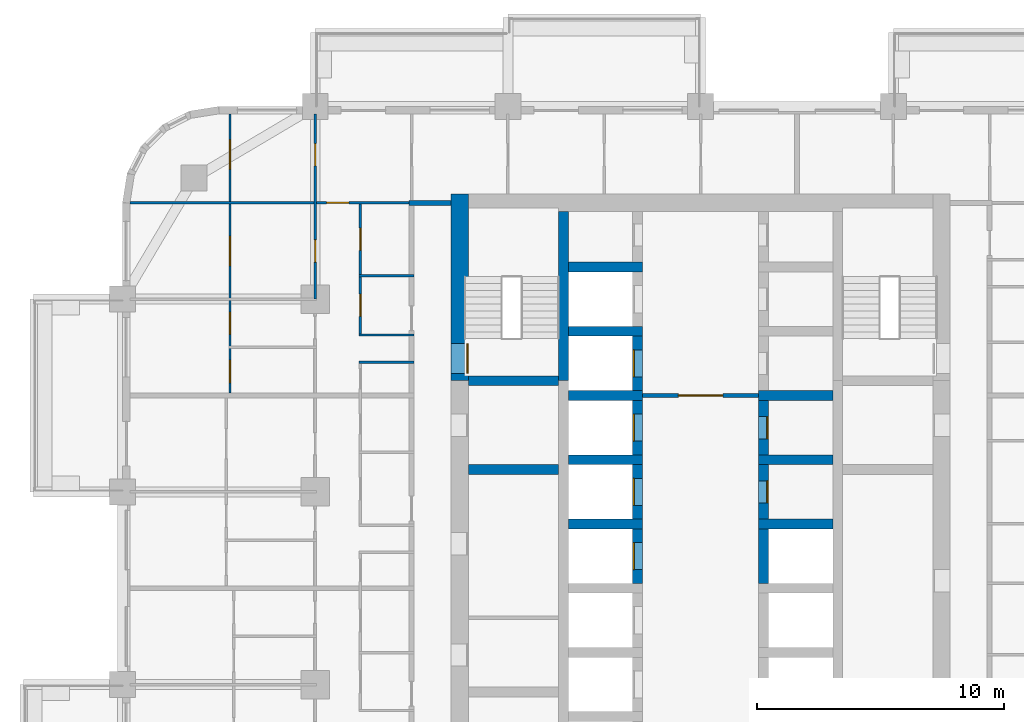
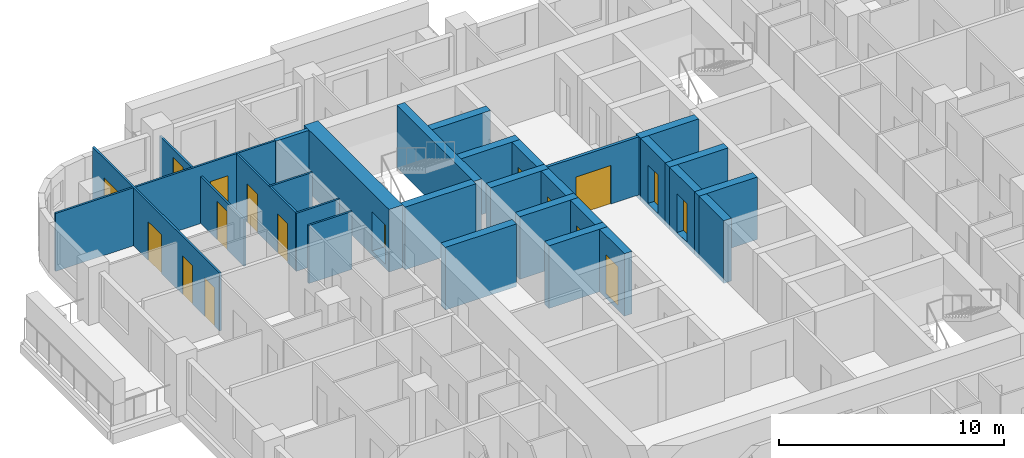
# One storey, part 10 of 17: 28 walls, 17 doors, 17 openings.
"""IFC4 building model written with IfcOpenShell, lengths in metres."""

from ifc_helpers import new_model, si_unit, direction, frame, frame_2d, origin, place, context, subcontext, project, spatial, rectangle, extrude, material, layer, layer_set, type_object, element, fill, save


model = new_model("IFC4")

# Units and contexts
model_context = context("Model", 3, precision=1e-05, world=origin(), true_north=direction((0.0, 1.0)))
body_context = subcontext(model_context, "Body", "Model", "MODEL_VIEW")
ifc_project = project(units=[si_unit("LENGTHUNIT", "METRE"), si_unit("AREAUNIT", "SQUARE_METRE"), si_unit("VOLUMEUNIT", "CUBIC_METRE"), si_unit("PLANEANGLEUNIT", "RADIAN"), si_unit("MASSUNIT", "GRAM", prefix="KILO")], contexts=[model_context])

# Site, building, storey
site_placement = place(None, origin())
site = spatial("IfcSite", under=ifc_project, at=site_placement, CompositionType="ELEMENT")
building_placement = place(site_placement, origin())
building = spatial("IfcBuilding", under=site, at=building_placement, Name="Ludao Terraces", CompositionType="ELEMENT")
storey_placement = place(building_placement, frame((0.0, 0.0, 22.89990234375)))
storey = spatial("IfcBuildingStorey", under=building, at=storey_placement, Name="L05", CompositionType="ELEMENT", Elevation=22.89990234375)

# Wall, opening, door
ifc_material_1 = material(Name="Concrete C70", Category="concrete")
ifc_layer_1 = layer(ifc_material_1, 0.699951171875)
ifc_layer_set_1 = layer_set([ifc_layer_1], Name="Core wall 700 C70")
wall_type_1 = type_object("IfcWallType", Name="Core wall 700 C70", PredefinedType="SOLIDWALL", material=ifc_layer_set_1)
wall_1_placement = place(storey_placement, frame((75.25, 77.300048828125, -0.25), z_axis=(0.0, 0.0, 1.0), x_axis=(0.0, 1.0, 0.0)))
wall_1 = element("IfcWall", 1, at=wall_1_placement, inside=storey, type_object=wall_type_1, Name="Core wall L05 outer-W-S1", PredefinedType="SOLIDWALL", context=body_context, shape_type="SweptSolid", body=[
    extrude(rectangle(XDim=7.550048828125, YDim=0.699951171875, at=frame_2d((3.77490234375, 0.0))), origin(), (0.0, 0.0, 1.0), 3.400146484375),
])
opening_1_placement = place(wall_1_placement, frame((0.300048828125, 0.0, 0.25)))
opening_1 = element("IfcOpeningElement", 2, at=opening_1_placement, cuts=wall_1, Name="Opening R01-127", PredefinedType="OPENING", context=body_context, shape_type="SweptSolid", body=[
    extrude(rectangle(XDim=1.199951171875, YDim=2.10009765625, at=frame_2d((0.60009765625, 1.050048828125))), frame((0.0, 0.35986328125, 0.0), z_axis=(0.0, -1.0, 0.0), x_axis=(1.0, 0.0, 0.0)), (0.0, 0.0, 1.0), 0.719970703125),
])
ifc_material_2 = material(Name="Steel Q235", Category="steel")
door_type_1 = type_object("IfcDoorType", Name="INT Stair door 1200", OperationType="DOUBLE_DOOR_SINGLE_SWING", PredefinedType="DOOR", material=ifc_material_2)
door_1_placement = place(opening_1_placement, origin())
door_1 = element("IfcDoor", 3, at=door_1_placement, inside=storey, type_object=door_type_1, Name="DOOR 127", OperationType="DOUBLE_DOOR_SINGLE_SWING", OverallHeight=2.10009765625, OverallWidth=1.199951171875, PredefinedType="DOOR", context=body_context, shape_type="SweptSolid", body=[
    extrude(rectangle(XDim=1.199951171875, YDim=2.10009765625, at=frame_2d((0.60009765625, 1.050048828125))), frame((0.0, -0.28515625, 0.0), z_axis=(0.0, -1.0, 0.0), x_axis=(1.0, 0.0, 0.0)), (0.0, 0.0, 1.0), 0.050048828125),
])
fill(opening_1, door_1)

ifc_material_3 = material(Name="Fire-rated gypsum plasterboard", Category="gypsum")
ifc_layer_2 = layer(ifc_material_3, 0.012451171875, Category="gypsum")
ifc_material_4 = material(Name="Mineral wool")
ifc_layer_3 = layer(ifc_material_4, 0.10009765625, Name="insulation")
ifc_layer_4 = layer(ifc_material_2, 0.02490234375, Name="stud")
ifc_layer_5 = layer(ifc_material_3, 0.012451171875, Category="gypsum")
ifc_layer_set_2 = layer_set([ifc_layer_2, ifc_layer_3, ifc_layer_4, ifc_layer_5], Name="INT Core partition 150")
wall_type_2 = type_object("IfcWallType", Name="INT Core partition 150", PredefinedType="PARTITIONING", material=ifc_layer_set_2)
wall_2_placement = place(storey_placement, frame((82.650146484375, 76.699951171875, 0.0), z_axis=(0.0, 0.0, 1.0), x_axis=(1.0, 0.0, 0.0)))
wall_2 = element("IfcWall", 4, at=wall_2_placement, inside=storey, type_object=wall_type_2, Name="PW-L05-PW058", PredefinedType="PARTITIONING", context=body_context, shape_type="SweptSolid", body=[
    extrude(rectangle(XDim=4.699951171875, YDim=0.14990234375, at=frame_2d((2.35009765625, 0.0))), origin(), (0.0, 0.0, 1.0), 3.150146484375),
])
opening_2_placement = place(wall_2_placement, frame((1.449951171875, 0.0, 0.0)))
opening_2 = element("IfcOpeningElement", 5, at=opening_2_placement, cuts=wall_2, Name="Opening R01-121", PredefinedType="OPENING", context=body_context, shape_type="SweptSolid", body=[
    extrude(rectangle(XDim=1.800048828125, YDim=2.10009765625, at=frame_2d((0.89990234375, 1.050048828125))), frame((0.0, 0.0849609375, 0.0), z_axis=(0.0, -1.0, 0.0), x_axis=(1.0, 0.0, 0.0)), (0.0, 0.0, 1.0), 0.169921875),
])
door_type_2 = type_object("IfcDoorType", Name="INT Fire lobby door 1800", OperationType="DOUBLE_DOOR_SINGLE_SWING", PredefinedType="DOOR", material=ifc_material_2)
door_2_placement = place(opening_2_placement, origin())
door_2 = element("IfcDoor", 6, at=door_2_placement, inside=storey, type_object=door_type_2, Name="DOOR 121", OperationType="DOUBLE_DOOR_SINGLE_SWING", OverallHeight=2.10009765625, OverallWidth=1.800048828125, PredefinedType="DOOR", context=body_context, shape_type="SweptSolid", body=[
    extrude(rectangle(XDim=1.800048828125, YDim=2.10009765625, at=frame_2d((0.89990234375, 1.050048828125))), frame((0.0, 0.02490234375, 0.0), z_axis=(0.0, -1.0, 0.0), x_axis=(1.0, 0.0, 0.0)), (0.0, 0.0, 1.0), 0.050048828125),
])
fill(opening_2, door_2)

# Walls
ifc_material_5 = material(Name="Autoclaved aerated concrete block B06 A3.5", Category="concrete")
ifc_layer_6 = layer(ifc_material_5, 0.199951171875)
ifc_layer_set_3 = layer_set([ifc_layer_6], Name="INT Entrance wall 200")
wall_type_3 = type_object("IfcWallType", Name="INT Entrance wall 200", PredefinedType="PARTITIONING", material=ifc_layer_set_3)
wall_3_placement = place(storey_placement, frame((73.2001953125, 84.5, 0.0), z_axis=(0.0, 0.0, 1.0), x_axis=(1.0, 0.0, 0.0)))
element("IfcWall", 7, at=wall_3_placement, inside=storey, type_object=wall_type_3, Name="PW-L05-PW070", PredefinedType="PARTITIONING", context=body_context, shape_type="SweptSolid", body=[
    extrude(rectangle(XDim=1.699951171875, YDim=0.199951171875, at=frame_2d((0.85009765625, 0.0))), origin(), (0.0, 0.0, 1.0), 3.150146484375),
])
ifc_material_6 = material(Name="Gypsum plasterboard", Category="gypsum")
ifc_layer_7 = layer(ifc_material_6, 0.012451171875, Category="gypsum")
ifc_layer_8 = layer(ifc_material_4, 0.06005859375, Name="insulation")
ifc_layer_9 = layer(ifc_material_2, 0.014892578125, Name="stud")
ifc_layer_10 = layer(ifc_material_6, 0.012451171875, Category="gypsum")
ifc_layer_set_4 = layer_set([ifc_layer_7, ifc_layer_8, ifc_layer_9, ifc_layer_10], Name="INT Partition 100")
wall_type_4 = type_object("IfcWallType", Name="INT Partition 100", PredefinedType="PARTITIONING", material=ifc_layer_set_4)
for number, where, z_axis, x_axis, name in (
    (8, (71.18017578125, 78.050048828125, 0.0), (0.0, 0.0, 1.0), (1.0, 0.0, 0.0), "PW-L05-PW060"),
    (9, (71.18017578125, 79.14990234375, 0.0), (0.0, 0.0, 1.0), (1.0, 0.0, 0.0), "PW-L05-PW063"),
    (10, (71.18017578125, 81.550048828125, 0.0), (0.0, 0.0, 1.0), (1.0, 0.0, 0.0), "PW-L05-PW067"),
):
    element("IfcWall", number, at=place(storey_placement, frame(where, z_axis=z_axis, x_axis=x_axis)), inside=storey, type_object=wall_type_4, Name=name, PredefinedType="PARTITIONING", context=body_context, shape_type="SweptSolid", body=[
        extrude(rectangle(XDim=2.219970703125, YDim=0.10009765625, at=frame_2d((1.10986328125, 0.0))), origin(), (0.0, 0.0, 1.0), 3.150146484375),
    ])

# Wall, opening, door
wall_4_placement = place(storey_placement, frame((61.900146484375, 84.5, 0.0), z_axis=(0.0, 0.0, 1.0), x_axis=(1.0, 0.0, 0.0)))
wall_4 = element("IfcWall", 11, at=wall_4_placement, inside=storey, type_object=wall_type_4, Name="PW-L05-PW069", PredefinedType="PARTITIONING", context=body_context, shape_type="SweptSolid", body=[
    extrude(rectangle(XDim=11.5, YDim=0.10009765625, at=frame_2d((5.75, 0.0))), origin(), (0.0, 0.0, 1.0), 3.150146484375),
])
opening_3_placement = place(wall_4_placement, frame((7.965087890625, 0.0, 0.0)))
opening_3 = element("IfcOpeningElement", 12, at=opening_3_placement, cuts=wall_4, Name="Opening R01-147", PredefinedType="OPENING", context=body_context, shape_type="SweptSolid", body=[
    extrude(rectangle(XDim=0.89990234375, YDim=2.10009765625, at=frame_2d((0.449951171875, 1.050048828125))), frame((0.0, 0.06005859375, 0.0), z_axis=(0.0, -1.0, 0.0), x_axis=(1.0, 0.0, 0.0)), (0.0, 0.0, 1.0), 0.1201171875),
])
ifc_material_7 = material(Name="Timber door leaf", Category="wood")
door_type_3 = type_object("IfcDoorType", Name="INT Room door 900", OperationType="SINGLE_SWING_LEFT", PredefinedType="DOOR", material=ifc_material_7)
door_3_placement = place(opening_3_placement, origin())
door_3 = element("IfcDoor", 13, at=door_3_placement, inside=storey, type_object=door_type_3, Name="DOOR 147", OperationType="SINGLE_SWING_RIGHT", OverallHeight=2.10009765625, OverallWidth=0.89990234375, PredefinedType="DOOR", context=body_context, shape_type="SweptSolid", body=[
    extrude(rectangle(XDim=0.89990234375, YDim=2.10009765625, at=frame_2d((0.449951171875, 1.050048828125))), frame((0.0, 0.02490234375, 0.0), z_axis=(0.0, -1.0, 0.0), x_axis=(1.0, 0.0, 0.0)), (0.0, 0.0, 1.0), 0.050048828125),
])
fill(opening_3, door_3)

# Wall, openings, doors
wall_5_placement = place(storey_placement, frame((65.949951171875, 76.800048828125, 0.0), z_axis=(0.0, 0.0, 1.0), x_axis=(0.0, 1.0, 0.0)))
wall_5 = element("IfcWall", 14, at=wall_5_placement, inside=storey, type_object=wall_type_4, Name="PW-L05-PW075", PredefinedType="PARTITIONING", context=body_context, shape_type="SweptSolid", body=[
    extrude(rectangle(XDim=11.300048828125, YDim=0.10009765625, at=frame_2d((5.64990234375, 0.0))), origin(), (0.0, 0.0, 1.0), 3.150146484375),
])
opening_4_placement = place(wall_5_placement, frame((0.425048828125, 0.0, 0.0)))
opening_4 = element("IfcOpeningElement", 15, at=opening_4_placement, cuts=wall_5, Name="Opening R01-123", PredefinedType="OPENING", context=body_context, shape_type="SweptSolid", body=[
    extrude(rectangle(XDim=0.89990234375, YDim=2.10009765625, at=frame_2d((0.449951171875, 1.050048828125))), frame((0.0, 0.06005859375, 0.0), z_axis=(0.0, -1.0, 0.0), x_axis=(1.0, 0.0, 0.0)), (0.0, 0.0, 1.0), 0.1201171875),
])
opening_5_placement = place(wall_5_placement, frame((2.375, 0.0, 0.0)))
opening_5 = element("IfcOpeningElement", 16, at=opening_5_placement, cuts=wall_5, Name="Opening R01-132", PredefinedType="OPENING", context=body_context, shape_type="SweptSolid", body=[
    extrude(rectangle(XDim=0.89990234375, YDim=2.10009765625, at=frame_2d((0.449951171875, 1.050048828125))), frame((0.0, 0.06005859375, 0.0), z_axis=(0.0, -1.0, 0.0), x_axis=(1.0, 0.0, 0.0)), (0.0, 0.0, 1.0), 0.1201171875),
])
opening_6_placement = place(wall_5_placement, frame((5.14990234375, 0.0, 0.0)))
opening_6 = element("IfcOpeningElement", 17, at=opening_6_placement, cuts=wall_5, Name="Opening R01-138", PredefinedType="OPENING", context=body_context, shape_type="SweptSolid", body=[
    extrude(rectangle(XDim=1.199951171875, YDim=2.10009765625, at=frame_2d((0.60009765625, 1.050048828125))), frame((0.0, 0.06005859375, 0.0), z_axis=(0.0, -1.0, 0.0), x_axis=(1.0, 0.0, 0.0)), (0.0, 0.0, 1.0), 0.1201171875),
])
opening_7_placement = place(wall_5_placement, frame((9.050048828125, 0.0, 0.0)))
opening_7 = element("IfcOpeningElement", 18, at=opening_7_placement, cuts=wall_5, Name="Opening R01-149", PredefinedType="OPENING", context=body_context, shape_type="SweptSolid", body=[
    extrude(rectangle(XDim=1.199951171875, YDim=2.10009765625, at=frame_2d((0.60009765625, 1.050048828125))), frame((0.0, 0.06005859375, 0.0), z_axis=(0.0, -1.0, 0.0), x_axis=(1.0, 0.0, 0.0)), (0.0, 0.0, 1.0), 0.1201171875),
])
door_type_4 = type_object("IfcDoorType", Name="INT Bathroom door 900", OperationType="SINGLE_SWING_LEFT", PredefinedType="DOOR", material=ifc_material_7)
door_4_placement = place(opening_4_placement, origin())
door_4 = element("IfcDoor", 19, at=door_4_placement, inside=storey, type_object=door_type_4, Name="DOOR 123", OperationType="SINGLE_SWING_RIGHT", OverallHeight=2.10009765625, OverallWidth=0.89990234375, PredefinedType="DOOR", context=body_context, shape_type="SweptSolid", body=[
    extrude(rectangle(XDim=0.89990234375, YDim=2.10009765625, at=frame_2d((0.449951171875, 1.050048828125))), frame((0.0, 0.02490234375, 0.0), z_axis=(0.0, -1.0, 0.0), x_axis=(1.0, 0.0, 0.0)), (0.0, 0.0, 1.0), 0.050048828125),
])
fill(opening_4, door_4)
door_type_5 = type_object("IfcDoorType", Name="INT Double door 1200", OperationType="DOUBLE_DOOR_SINGLE_SWING", PredefinedType="DOOR", material=ifc_material_7)
door_5_placement = place(opening_6_placement, origin())
door_5 = element("IfcDoor", 20, at=door_5_placement, inside=storey, type_object=door_type_5, Name="DOOR 138", OperationType="DOUBLE_DOOR_SINGLE_SWING", OverallHeight=2.10009765625, OverallWidth=1.199951171875, PredefinedType="DOOR", context=body_context, shape_type="SweptSolid", body=[
    extrude(rectangle(XDim=1.199951171875, YDim=2.10009765625, at=frame_2d((0.60009765625, 1.050048828125))), frame((0.0, 0.02490234375, 0.0), z_axis=(0.0, -1.0, 0.0), x_axis=(1.0, 0.0, 0.0)), (0.0, 0.0, 1.0), 0.050048828125),
])
fill(opening_6, door_5)
door_6_placement = place(opening_7_placement, origin())
door_6 = element("IfcDoor", 21, at=door_6_placement, inside=storey, type_object=door_type_5, Name="DOOR 149", OperationType="DOUBLE_DOOR_SINGLE_SWING", OverallHeight=2.10009765625, OverallWidth=1.199951171875, PredefinedType="DOOR", context=body_context, shape_type="SweptSolid", body=[
    extrude(rectangle(XDim=1.199951171875, YDim=2.10009765625, at=frame_2d((0.60009765625, 1.050048828125))), frame((0.0, 0.02490234375, 0.0), z_axis=(0.0, -1.0, 0.0), x_axis=(1.0, 0.0, 0.0)), (0.0, 0.0, 1.0), 0.050048828125),
])
fill(opening_7, door_6)
door_7_placement = place(opening_5_placement, origin())
door_7 = element("IfcDoor", 22, at=door_7_placement, inside=storey, type_object=door_type_3, Name="DOOR 132", OperationType="SINGLE_SWING_RIGHT", OverallHeight=2.10009765625, OverallWidth=0.89990234375, PredefinedType="DOOR", context=body_context, shape_type="SweptSolid", body=[
    extrude(rectangle(XDim=0.89990234375, YDim=2.10009765625, at=frame_2d((0.449951171875, 1.050048828125))), frame((0.0, 0.02490234375, 0.0), z_axis=(0.0, -1.0, 0.0), x_axis=(1.0, 0.0, 0.0)), (0.0, 0.0, 1.0), 0.050048828125),
])
fill(opening_5, door_7)

wall_6_placement = place(storey_placement, frame((69.39990234375, 80.60009765625, 0.0), z_axis=(0.0, 0.0, 1.0), x_axis=(0.0, 1.0, 0.0)))
wall_6 = element("IfcWall", 23, at=wall_6_placement, inside=storey, type_object=wall_type_4, Name="PW-L05-PW077-3", PredefinedType="PARTITIONING", context=body_context, shape_type="SweptSolid", body=[
    extrude(rectangle(XDim=7.5, YDim=0.10009765625, at=frame_2d((3.75, 0.0))), origin(), (0.0, 0.0, 1.0), 2.550048828125),
])
opening_8_placement = place(wall_6_placement, frame((1.5, 0.0, 0.0)))
opening_8 = element("IfcOpeningElement", 24, at=opening_8_placement, cuts=wall_6, Name="Opening R01-139", PredefinedType="OPENING", context=body_context, shape_type="SweptSolid", body=[
    extrude(rectangle(XDim=0.89990234375, YDim=2.10009765625, at=frame_2d((0.449951171875, 1.050048828125))), frame((0.0, 0.06005859375, 0.0), z_axis=(0.0, -1.0, 0.0), x_axis=(1.0, 0.0, 0.0)), (0.0, 0.0, 1.0), 0.1201171875),
])
opening_9_placement = place(wall_6_placement, frame((5.39990234375, 0.0, 0.0)))
opening_9 = element("IfcOpeningElement", 25, at=opening_9_placement, cuts=wall_6, Name="Opening R01-150", PredefinedType="OPENING", context=body_context, shape_type="SweptSolid", body=[
    extrude(rectangle(XDim=0.89990234375, YDim=2.10009765625, at=frame_2d((0.449951171875, 1.050048828125))), frame((0.0, 0.06005859375, 0.0), z_axis=(0.0, -1.0, 0.0), x_axis=(1.0, 0.0, 0.0)), (0.0, 0.0, 1.0), 0.1201171875),
])
door_8_placement = place(opening_8_placement, origin())
door_8 = element("IfcDoor", 26, at=door_8_placement, inside=storey, type_object=door_type_3, Name="DOOR 139", OperationType="SINGLE_SWING_LEFT", OverallHeight=2.10009765625, OverallWidth=0.89990234375, PredefinedType="DOOR", context=body_context, shape_type="SweptSolid", body=[
    extrude(rectangle(XDim=0.89990234375, YDim=2.10009765625, at=frame_2d((0.449951171875, 1.050048828125))), frame((0.0, 0.02490234375, 0.0), z_axis=(0.0, -1.0, 0.0), x_axis=(1.0, 0.0, 0.0)), (0.0, 0.0, 1.0), 0.050048828125),
])
fill(opening_8, door_8)
door_9_placement = place(opening_9_placement, origin())
door_9 = element("IfcDoor", 27, at=door_9_placement, inside=storey, type_object=door_type_3, Name="DOOR 150", OperationType="SINGLE_SWING_RIGHT", OverallHeight=2.10009765625, OverallWidth=0.89990234375, PredefinedType="DOOR", context=body_context, shape_type="SweptSolid", body=[
    extrude(rectangle(XDim=0.89990234375, YDim=2.10009765625, at=frame_2d((0.449951171875, 1.050048828125))), frame((0.0, 0.02490234375, 0.0), z_axis=(0.0, -1.0, 0.0), x_axis=(1.0, 0.0, 0.0)), (0.0, 0.0, 1.0), 0.050048828125),
])
fill(opening_9, door_9)

wall_7_placement = place(storey_placement, frame((71.22998046875, 79.2001953125, 0.0), z_axis=(0.0, 0.0, 1.0), x_axis=(0.0, 1.0, 0.0)))
wall_7 = element("IfcWall", 28, at=wall_7_placement, inside=storey, type_object=wall_type_4, Name="PW-L05-PW082", PredefinedType="PARTITIONING", context=body_context, shape_type="SweptSolid", body=[
    extrude(rectangle(XDim=5.25, YDim=0.10009765625, at=frame_2d((2.625, 0.0))), origin(), (0.0, 0.0, 1.0), 3.150146484375),
])
opening_10_placement = place(wall_7_placement, frame((0.699951171875, 0.0, 0.0)))
opening_10 = element("IfcOpeningElement", 29, at=opening_10_placement, cuts=wall_7, Name="Opening R01-135", PredefinedType="OPENING", context=body_context, shape_type="SweptSolid", body=[
    extrude(rectangle(XDim=0.89990234375, YDim=2.10009765625, at=frame_2d((0.449951171875, 1.050048828125))), frame((0.0, 0.06005859375, 0.0), z_axis=(0.0, -1.0, 0.0), x_axis=(1.0, 0.0, 0.0)), (0.0, 0.0, 1.0), 0.1201171875),
])
opening_11_placement = place(wall_7_placement, frame((3.375, 0.0, 0.0)))
opening_11 = element("IfcOpeningElement", 30, at=opening_11_placement, cuts=wall_7, Name="Opening R01-143", PredefinedType="OPENING", context=body_context, shape_type="SweptSolid", body=[
    extrude(rectangle(XDim=0.89990234375, YDim=2.10009765625, at=frame_2d((0.449951171875, 1.050048828125))), frame((0.0, 0.06005859375, 0.0), z_axis=(0.0, -1.0, 0.0), x_axis=(1.0, 0.0, 0.0)), (0.0, 0.0, 1.0), 0.1201171875),
])
door_10_placement = place(opening_10_placement, origin())
door_10 = element("IfcDoor", 31, at=door_10_placement, inside=storey, type_object=door_type_4, Name="DOOR 135", OperationType="SINGLE_SWING_RIGHT", OverallHeight=2.10009765625, OverallWidth=0.89990234375, PredefinedType="DOOR", context=body_context, shape_type="SweptSolid", body=[
    extrude(rectangle(XDim=0.89990234375, YDim=2.10009765625, at=frame_2d((0.449951171875, 1.050048828125))), frame((0.0, 0.02490234375, 0.0), z_axis=(0.0, -1.0, 0.0), x_axis=(1.0, 0.0, 0.0)), (0.0, 0.0, 1.0), 0.050048828125),
])
fill(opening_10, door_10)
door_11_placement = place(opening_11_placement, origin())
door_11 = element("IfcDoor", 32, at=door_11_placement, inside=storey, type_object=door_type_3, Name="DOOR 143", OperationType="SINGLE_SWING_RIGHT", OverallHeight=2.10009765625, OverallWidth=0.89990234375, PredefinedType="DOOR", context=body_context, shape_type="SweptSolid", body=[
    extrude(rectangle(XDim=0.89990234375, YDim=2.10009765625, at=frame_2d((0.449951171875, 1.050048828125))), frame((0.0, 0.02490234375, 0.0), z_axis=(0.0, -1.0, 0.0), x_axis=(1.0, 0.0, 0.0)), (0.0, 0.0, 1.0), 0.050048828125),
])
fill(opening_11, door_11)

# Wall
ifc_material_8 = material(Name="Concrete C60", Category="concrete")
ifc_layer_11 = layer(ifc_material_8, 0.39990234375)
ifc_layer_set_5 = layer_set([ifc_layer_11], Name="Shaft wall 400 C60")
wall_type_5 = type_object("IfcWallType", Name="Shaft wall 400 C60", PredefinedType="SOLIDWALL", material=ifc_layer_set_5)
wall_8_placement = place(storey_placement, frame((79.449951171875, 77.300048828125, -0.25), z_axis=(0.0, 0.0, 1.0), x_axis=(0.0, 1.0, 0.0)))
element("IfcWall", 33, at=wall_8_placement, inside=storey, type_object=wall_type_5, Name="Core wall L05 back-W-S1", PredefinedType="SOLIDWALL", context=body_context, shape_type="SweptSolid", body=[
    extrude(rectangle(XDim=6.849853515625, YDim=0.39990234375, at=frame_2d((3.4248046875, 0.0))), origin(), (0.0, 0.0, 1.0), 3.400146484375),
])

# Wall, opening, door
wall_9_placement = place(storey_placement, frame((82.449951171875, 69.10009765625, -0.25), z_axis=(0.0, 0.0, 1.0), x_axis=(0.0, 1.0, 0.0)))
wall_9 = element("IfcWall", 34, at=wall_9_placement, inside=storey, type_object=wall_type_5, Name="Core wall L05 front-W4", PredefinedType="SOLIDWALL", context=body_context, shape_type="SweptSolid", body=[
    extrude(rectangle(XDim=2.199951171875, YDim=0.39990234375, at=frame_2d((1.10009765625, 0.0))), origin(), (0.0, 0.0, 1.0), 3.400146484375),
])
opening_12_placement = place(wall_9_placement, frame((0.550048828125, 0.0, 0.25)))
opening_12 = element("IfcOpeningElement", 35, at=opening_12_placement, cuts=wall_9, Name="Opening LD-LA4", PredefinedType="OPENING", context=body_context, shape_type="SweptSolid", body=[
    extrude(rectangle(XDim=1.10009765625, YDim=2.10009765625, at=frame_2d((0.550048828125, 1.050048828125))), frame((0.0, 0.2099609375, 0.0), z_axis=(0.0, -1.0, 0.0), x_axis=(1.0, 0.0, 0.0)), (0.0, 0.0, 1.0), 0.419921875),
])
ifc_material_9 = material(Name="Stainless steel 304", Category="steel")
door_type_6 = type_object("IfcDoorType", Name="INT Lift landing door 1100", OperationType="SLIDING_TO_LEFT", PredefinedType="DOOR", material=ifc_material_9)
door_12_placement = place(opening_12_placement, origin())
door_12 = element("IfcDoor", 36, at=door_12_placement, inside=storey, type_object=door_type_6, Name="LANDING DOOR LA4 L05", OperationType="SLIDING_TO_LEFT", OverallHeight=2.10009765625, OverallWidth=1.10009765625, PredefinedType="DOOR", context=body_context, shape_type="SweptSolid", body=[
    extrude(rectangle(XDim=1.10009765625, YDim=2.10009765625, at=frame_2d((0.550048828125, 1.050048828125))), frame((0.0, 0.18505859375, 0.0), z_axis=(0.0, -1.0, 0.0), x_axis=(1.0, 0.0, 0.0)), (0.0, 0.0, 1.0), 0.050048828125),
])
fill(opening_12, door_12)

# Wall
wall_10_placement = place(storey_placement, frame((79.64990234375, 71.5, -0.25), z_axis=(0.0, 0.0, 1.0), x_axis=(1.0, 0.0, 0.0)))
element("IfcWall", 37, at=wall_10_placement, inside=storey, type_object=wall_type_5, Name="Core wall L05 div-W5", PredefinedType="SOLIDWALL", context=body_context, shape_type="SweptSolid", body=[
    extrude(rectangle(XDim=3.0, YDim=0.39990234375, at=frame_2d((1.5, 0.0))), origin(), (0.0, 0.0, 1.0), 3.400146484375),
])

# Wall, opening, door
wall_11_placement = place(storey_placement, frame((82.449951171875, 71.699951171875, -0.25), z_axis=(0.0, 0.0, 1.0), x_axis=(0.0, 1.0, 0.0)))
wall_11 = element("IfcWall", 38, at=wall_11_placement, inside=storey, type_object=wall_type_5, Name="Core wall L05 front-W5", PredefinedType="SOLIDWALL", context=body_context, shape_type="SweptSolid", body=[
    extrude(rectangle(XDim=2.199951171875, YDim=0.39990234375, at=frame_2d((1.10009765625, 0.0))), origin(), (0.0, 0.0, 1.0), 3.400146484375),
])
opening_13_placement = place(wall_11_placement, frame((0.550048828125, 0.0, 0.25)))
opening_13 = element("IfcOpeningElement", 39, at=opening_13_placement, cuts=wall_11, Name="Opening LD-LA5", PredefinedType="OPENING", context=body_context, shape_type="SweptSolid", body=[
    extrude(rectangle(XDim=1.10009765625, YDim=2.10009765625, at=frame_2d((0.550048828125, 1.050048828125))), frame((0.0, 0.2099609375, 0.0), z_axis=(0.0, -1.0, 0.0), x_axis=(1.0, 0.0, 0.0)), (0.0, 0.0, 1.0), 0.419921875),
])
door_13_placement = place(opening_13_placement, origin())
door_13 = element("IfcDoor", 40, at=door_13_placement, inside=storey, type_object=door_type_6, Name="LANDING DOOR LA5 L05", OperationType="SLIDING_TO_LEFT", OverallHeight=2.10009765625, OverallWidth=1.10009765625, PredefinedType="DOOR", context=body_context, shape_type="SweptSolid", body=[
    extrude(rectangle(XDim=1.10009765625, YDim=2.10009765625, at=frame_2d((0.550048828125, 1.050048828125))), frame((0.0, 0.18505859375, 0.0), z_axis=(0.0, -1.0, 0.0), x_axis=(1.0, 0.0, 0.0)), (0.0, 0.0, 1.0), 0.050048828125),
])
fill(opening_13, door_13)

# Wall
wall_12_placement = place(storey_placement, frame((79.64990234375, 74.10009765625, -0.25), z_axis=(0.0, 0.0, 1.0), x_axis=(1.0, 0.0, 0.0)))
element("IfcWall", 41, at=wall_12_placement, inside=storey, type_object=wall_type_5, Name="Core wall L05 div-W6", PredefinedType="SOLIDWALL", context=body_context, shape_type="SweptSolid", body=[
    extrude(rectangle(XDim=3.0, YDim=0.39990234375, at=frame_2d((1.5, 0.0))), origin(), (0.0, 0.0, 1.0), 3.400146484375),
])

# Wall, opening, door
wall_13_placement = place(storey_placement, frame((82.449951171875, 74.300048828125, -0.25), z_axis=(0.0, 0.0, 1.0), x_axis=(0.0, 1.0, 0.0)))
wall_13 = element("IfcWall", 42, at=wall_13_placement, inside=storey, type_object=wall_type_5, Name="Core wall L05 front-W6", PredefinedType="SOLIDWALL", context=body_context, shape_type="SweptSolid", body=[
    extrude(rectangle(XDim=2.199951171875, YDim=0.39990234375, at=frame_2d((1.10009765625, 0.0))), origin(), (0.0, 0.0, 1.0), 3.400146484375),
])
opening_14_placement = place(wall_13_placement, frame((0.550048828125, 0.0, 0.25)))
opening_14 = element("IfcOpeningElement", 43, at=opening_14_placement, cuts=wall_13, Name="Opening LD-LA6", PredefinedType="OPENING", context=body_context, shape_type="SweptSolid", body=[
    extrude(rectangle(XDim=1.10009765625, YDim=2.10009765625, at=frame_2d((0.550048828125, 1.050048828125))), frame((0.0, 0.2099609375, 0.0), z_axis=(0.0, -1.0, 0.0), x_axis=(1.0, 0.0, 0.0)), (0.0, 0.0, 1.0), 0.419921875),
])
door_14_placement = place(opening_14_placement, origin())
door_14 = element("IfcDoor", 44, at=door_14_placement, inside=storey, type_object=door_type_6, Name="LANDING DOOR LA6 L05", OperationType="SLIDING_TO_LEFT", OverallHeight=2.10009765625, OverallWidth=1.10009765625, PredefinedType="DOOR", context=body_context, shape_type="SweptSolid", body=[
    extrude(rectangle(XDim=1.10009765625, YDim=2.10009765625, at=frame_2d((0.550048828125, 1.050048828125))), frame((0.0, 0.18505859375, 0.0), z_axis=(0.0, -1.0, 0.0), x_axis=(1.0, 0.0, 0.0)), (0.0, 0.0, 1.0), 0.050048828125),
])
fill(opening_14, door_14)

# Wall
wall_14_placement = place(storey_placement, frame((79.64990234375, 76.699951171875, -0.25), z_axis=(0.0, 0.0, 1.0), x_axis=(1.0, 0.0, 0.0)))
element("IfcWall", 45, at=wall_14_placement, inside=storey, type_object=wall_type_5, Name="Core wall L05 div-W7", PredefinedType="SOLIDWALL", context=body_context, shape_type="SweptSolid", body=[
    extrude(rectangle(XDim=3.0, YDim=0.39990234375, at=frame_2d((1.5, 0.0))), origin(), (0.0, 0.0, 1.0), 3.400146484375),
])

# Wall, opening, door
wall_15_placement = place(storey_placement, frame((82.449951171875, 76.89990234375, -0.25), z_axis=(0.0, 0.0, 1.0), x_axis=(0.0, 1.0, 0.0)))
wall_15 = element("IfcWall", 46, at=wall_15_placement, inside=storey, type_object=wall_type_5, Name="Core wall L05 front-W7", PredefinedType="SOLIDWALL", context=body_context, shape_type="SweptSolid", body=[
    extrude(rectangle(XDim=2.2001953125, YDim=0.39990234375, at=frame_2d((1.10009765625, 0.0))), origin(), (0.0, 0.0, 1.0), 3.400146484375),
])
opening_15_placement = place(wall_15_placement, frame((0.550048828125, 0.0, 0.25)))
opening_15 = element("IfcOpeningElement", 47, at=opening_15_placement, cuts=wall_15, Name="Opening LD-FF1", PredefinedType="OPENING", context=body_context, shape_type="SweptSolid", body=[
    extrude(rectangle(XDim=1.10009765625, YDim=2.10009765625, at=frame_2d((0.550048828125, 1.050048828125))), frame((0.0, 0.2099609375, 0.0), z_axis=(0.0, -1.0, 0.0), x_axis=(1.0, 0.0, 0.0)), (0.0, 0.0, 1.0), 0.419921875),
])
door_15_placement = place(opening_15_placement, origin())
door_15 = element("IfcDoor", 48, at=door_15_placement, inside=storey, type_object=door_type_6, Name="LANDING DOOR FF1 L05", OperationType="SLIDING_TO_LEFT", OverallHeight=2.10009765625, OverallWidth=1.10009765625, PredefinedType="DOOR", context=body_context, shape_type="SweptSolid", body=[
    extrude(rectangle(XDim=1.10009765625, YDim=2.10009765625, at=frame_2d((0.550048828125, 1.050048828125))), frame((0.0, 0.18505859375, 0.0), z_axis=(0.0, -1.0, 0.0), x_axis=(1.0, 0.0, 0.0)), (0.0, 0.0, 1.0), 0.050048828125),
])
fill(opening_15, door_15)

# Walls
for number, where, z_axis, x_axis, name in (
    (49, (79.64990234375, 79.300048828125, -0.25), (0.0, 0.0, 1.0), (1.0, 0.0, 0.0), "Core wall L05 div-W8"),
    (50, (79.64990234375, 81.89990234375, -0.25), (0.0, 0.0, 1.0), (1.0, 0.0, 0.0), "Core wall L05 div-W9"),
):
    element("IfcWall", number, at=place(storey_placement, frame(where, z_axis=z_axis, x_axis=x_axis)), inside=storey, type_object=wall_type_5, Name=name, PredefinedType="SOLIDWALL", context=body_context, shape_type="SweptSolid", body=[
        extrude(rectangle(XDim=3.0, YDim=0.39990234375, at=frame_2d((1.5, 0.0))), origin(), (0.0, 0.0, 1.0), 3.400146484375),
    ])
wall_16_placement = place(storey_placement, frame((87.550048828125, 69.10009765625, -0.25), z_axis=(0.0, 0.0, 1.0), x_axis=(0.0, 1.0, 0.0)))
element("IfcWall", 51, at=wall_16_placement, inside=storey, type_object=wall_type_5, Name="Core wall L05 front-E4", PredefinedType="SOLIDWALL", context=body_context, shape_type="SweptSolid", body=[
    extrude(rectangle(XDim=2.199951171875, YDim=0.39990234375, at=frame_2d((1.10009765625, 0.0))), origin(), (0.0, 0.0, 1.0), 3.400146484375),
])
wall_17_placement = place(storey_placement, frame((87.35009765625, 71.5, -0.25), z_axis=(0.0, 0.0, 1.0), x_axis=(1.0, 0.0, 0.0)))
element("IfcWall", 52, at=wall_17_placement, inside=storey, type_object=wall_type_5, Name="Core wall L05 div-E5", PredefinedType="SOLIDWALL", context=body_context, shape_type="SweptSolid", body=[
    extrude(rectangle(XDim=3.0, YDim=0.39990234375, at=frame_2d((1.5, 0.0))), origin(), (0.0, 0.0, 1.0), 3.400146484375),
])

# Wall, opening, door
wall_18_placement = place(storey_placement, frame((87.550048828125, 71.699951171875, -0.25), z_axis=(0.0, 0.0, 1.0), x_axis=(0.0, 1.0, 0.0)))
wall_18 = element("IfcWall", 53, at=wall_18_placement, inside=storey, type_object=wall_type_5, Name="Core wall L05 front-E5", PredefinedType="SOLIDWALL", context=body_context, shape_type="SweptSolid", body=[
    extrude(rectangle(XDim=2.199951171875, YDim=0.39990234375, at=frame_2d((1.10009765625, 0.0))), origin(), (0.0, 0.0, 1.0), 3.400146484375),
])
opening_16_placement = place(wall_18_placement, frame((0.64990234375, 0.0, 0.25)))
opening_16 = element("IfcOpeningElement", 54, at=opening_16_placement, cuts=wall_18, Name="Opening R01-108", PredefinedType="OPENING", context=body_context, shape_type="SweptSolid", body=[
    extrude(rectangle(XDim=0.89990234375, YDim=2.10009765625, at=frame_2d((0.449951171875, 1.050048828125))), frame((0.0, 0.2099609375, 0.0), z_axis=(0.0, -1.0, 0.0), x_axis=(1.0, 0.0, 0.0)), (0.0, 0.0, 1.0), 0.419921875),
])
door_16_placement = place(opening_16_placement, origin())
door_16 = element("IfcDoor", 55, at=door_16_placement, inside=storey, type_object=door_type_3, Name="DOOR 108", OperationType="SINGLE_SWING_RIGHT", OverallHeight=2.10009765625, OverallWidth=0.89990234375, PredefinedType="DOOR", context=body_context, shape_type="SweptSolid", body=[
    extrude(rectangle(XDim=0.89990234375, YDim=2.10009765625, at=frame_2d((0.449951171875, 1.050048828125))), frame((0.0, -0.134765625, 0.0), z_axis=(0.0, -1.0, 0.0), x_axis=(1.0, 0.0, 0.0)), (0.0, 0.0, 1.0), 0.050048828125),
])
fill(opening_16, door_16)

# Wall
wall_19_placement = place(storey_placement, frame((87.35009765625, 74.10009765625, -0.25), z_axis=(0.0, 0.0, 1.0), x_axis=(1.0, 0.0, 0.0)))
element("IfcWall", 56, at=wall_19_placement, inside=storey, type_object=wall_type_5, Name="Core wall L05 div-E6", PredefinedType="SOLIDWALL", context=body_context, shape_type="SweptSolid", body=[
    extrude(rectangle(XDim=3.0, YDim=0.39990234375, at=frame_2d((1.5, 0.0))), origin(), (0.0, 0.0, 1.0), 3.400146484375),
])

# Wall, opening, door
wall_20_placement = place(storey_placement, frame((87.550048828125, 74.300048828125, -0.25), z_axis=(0.0, 0.0, 1.0), x_axis=(0.0, 1.0, 0.0)))
wall_20 = element("IfcWall", 57, at=wall_20_placement, inside=storey, type_object=wall_type_5, Name="Core wall L05 front-E6", PredefinedType="SOLIDWALL", context=body_context, shape_type="SweptSolid", body=[
    extrude(rectangle(XDim=2.199951171875, YDim=0.39990234375, at=frame_2d((1.10009765625, 0.0))), origin(), (0.0, 0.0, 1.0), 3.400146484375),
])
opening_17_placement = place(wall_20_placement, frame((0.64990234375, 0.0, 0.25)))
opening_17 = element("IfcOpeningElement", 58, at=opening_17_placement, cuts=wall_20, Name="Opening R01-116", PredefinedType="OPENING", context=body_context, shape_type="SweptSolid", body=[
    extrude(rectangle(XDim=0.89990234375, YDim=2.10009765625, at=frame_2d((0.449951171875, 1.050048828125))), frame((0.0, 0.2099609375, 0.0), z_axis=(0.0, -1.0, 0.0), x_axis=(1.0, 0.0, 0.0)), (0.0, 0.0, 1.0), 0.419921875),
])
door_17_placement = place(opening_17_placement, origin())
door_17 = element("IfcDoor", 59, at=door_17_placement, inside=storey, type_object=door_type_3, Name="DOOR 116", OperationType="SINGLE_SWING_LEFT", OverallHeight=2.10009765625, OverallWidth=0.89990234375, PredefinedType="DOOR", context=body_context, shape_type="SweptSolid", body=[
    extrude(rectangle(XDim=0.89990234375, YDim=2.10009765625, at=frame_2d((0.449951171875, 1.050048828125))), frame((0.0, -0.134765625, 0.0), z_axis=(0.0, -1.0, 0.0), x_axis=(1.0, 0.0, 0.0)), (0.0, 0.0, 1.0), 0.050048828125),
])
fill(opening_17, door_17)

# Walls
wall_21_placement = place(storey_placement, frame((87.35009765625, 76.699951171875, -0.25), z_axis=(0.0, 0.0, 1.0), x_axis=(1.0, 0.0, 0.0)))
element("IfcWall", 60, at=wall_21_placement, inside=storey, type_object=wall_type_5, Name="Core wall L05 div-E7", PredefinedType="SOLIDWALL", context=body_context, shape_type="SweptSolid", body=[
    extrude(rectangle(XDim=3.0, YDim=0.39990234375, at=frame_2d((1.5, 0.0))), origin(), (0.0, 0.0, 1.0), 3.400146484375),
])
for number, where, z_axis, x_axis, name in (
    (61, (75.60009765625, 73.699951171875, -0.25), (0.0, 0.0, 1.0), (1.0, 0.0, 0.0), "Core wall L05 riser-b-W"),
    (62, (75.60009765625, 77.300048828125, -0.25), (0.0, 0.0, 1.0), (1.0, 0.0, 0.0), "Core wall L05 stair-W"),
):
    element("IfcWall", number, at=place(storey_placement, frame(where, z_axis=z_axis, x_axis=x_axis)), inside=storey, type_object=wall_type_5, Name=name, PredefinedType="SOLIDWALL", context=body_context, shape_type="SweptSolid", body=[
        extrude(rectangle(XDim=3.64990234375, YDim=0.39990234375, at=frame_2d((1.824951171875, 0.0))), origin(), (0.0, 0.0, 1.0), 3.400146484375),
    ])

save(model, "model.ifc")
